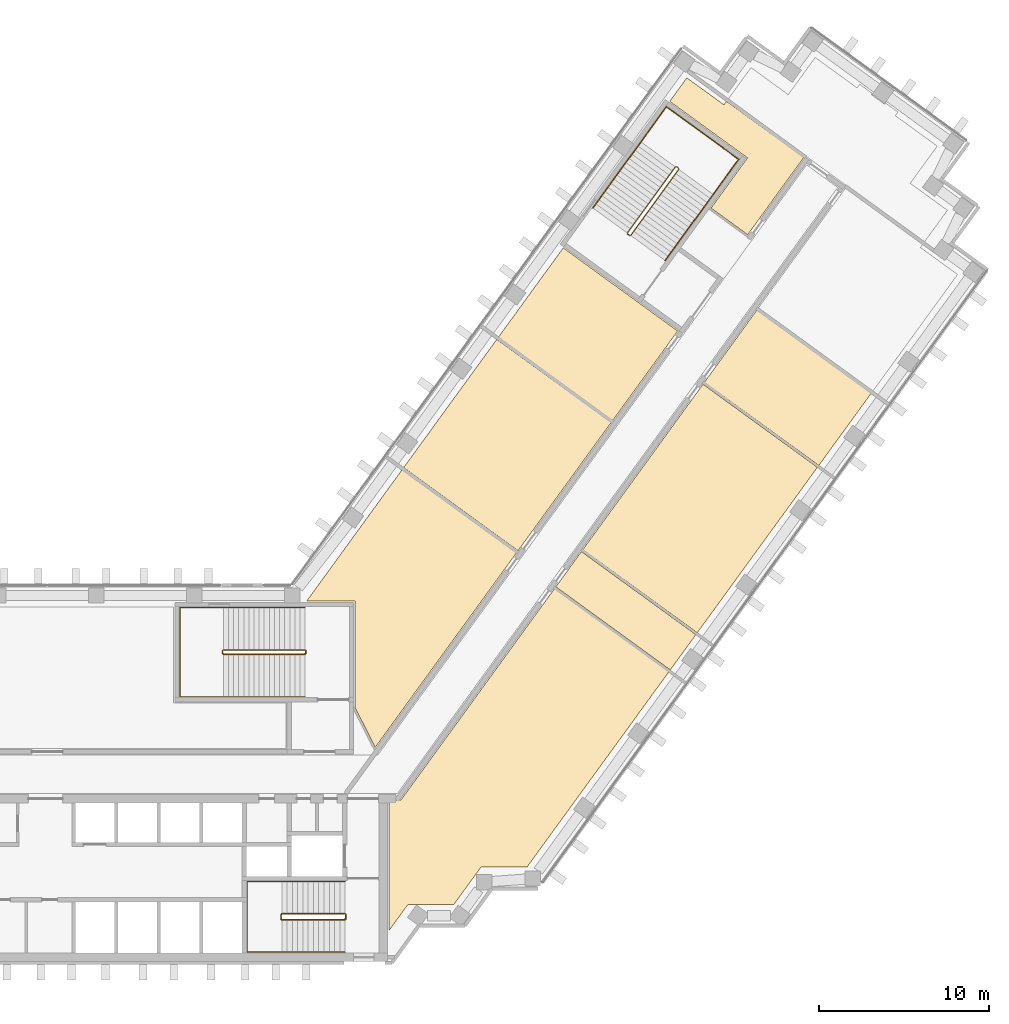
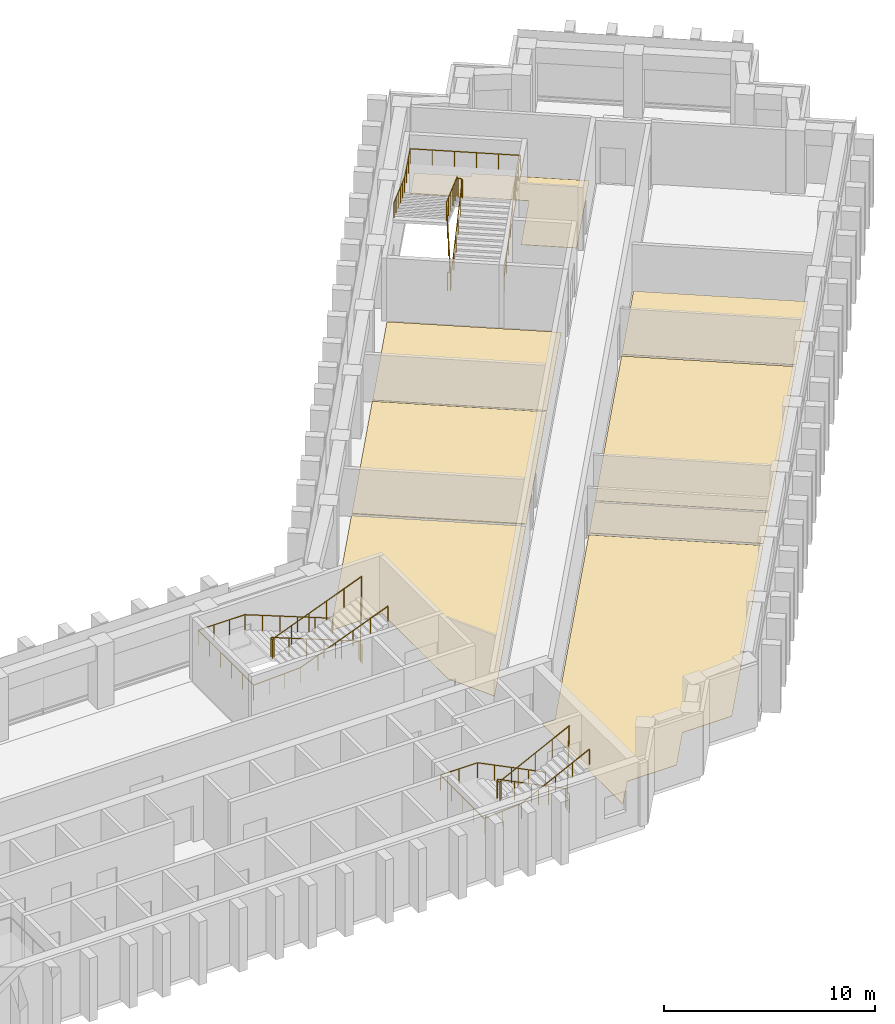
# One storey, part 16 of 17: 8 coverings, 6 railings.
"""IFC4 building model written with IfcOpenShell, lengths in metres."""

from ifc_helpers import new_model, si_unit, direction, frame, origin, origin_2d, place, context, subcontext, project, spatial, polyline, circle, outline, extrude, material, layer, layer_set, type_object, element, save


model = new_model("IFC4")

# Units and contexts
model_context = context("Model", 3, precision=1e-05, world=origin(), true_north=direction((0.0, 1.0)))
body_context = subcontext(model_context, "Body", "Model", "MODEL_VIEW")
ifc_project = project(units=[si_unit("LENGTHUNIT", "METRE"), si_unit("AREAUNIT", "SQUARE_METRE"), si_unit("VOLUMEUNIT", "CUBIC_METRE"), si_unit("PLANEANGLEUNIT", "RADIAN"), si_unit("MASSUNIT", "GRAM", prefix="KILO")], contexts=[model_context])

# Site, building, storey
site_placement = place(None, origin())
site = spatial("IfcSite", under=ifc_project, at=site_placement, CompositionType="ELEMENT")
building_placement = place(site_placement, origin())
building = spatial("IfcBuilding", under=site, at=building_placement, Name="Quipu Civic Tower", CompositionType="ELEMENT")
storey_placement = place(building_placement, frame((0.0, 0.0, 43.0)))
storey = spatial("IfcBuildingStorey", under=building, at=storey_placement, Name="L09", CompositionType="ELEMENT", Elevation=43.0)

# Coverings
ifc_material_1 = material(Name="Carpet tile on raised access floor")
ifc_layer_1 = layer(ifc_material_1, 0.02001953125)
ifc_layer_set_1 = layer_set([ifc_layer_1], Name="Carpet tile on raised access floor")
covering_type_1 = type_object("IfcCoveringType", Name="Carpet tile floor finish 20", PredefinedType="FLOORING", material=ifc_layer_set_1)
covering_1_placement = place(storey_placement, origin())
element("IfcCovering", 1, at=covering_1_placement, inside=storey, type_object=covering_type_1, Name="Carpet tile floor finish 20", PredefinedType="FLOORING", context=body_context, shape_type="SweptSolid", body=[
    extrude(outline(polyline([(15.238037109375, 10.169921875), (20.85498046875, 17.90087890625), (27.577880859375, 13.01708984375), (19.27197265625, 1.583984375), (18.070068359375, 3.94189453125), (18.070068359375, 10.1689453125), (15.238037109375, 10.169921875)])), origin(), (0.0, 0.0, 1.0), 0.02001953125),
])
covering_2_placement = place(storey_placement, origin())
element("IfcCovering", 2, at=covering_2_placement, inside=storey, type_object=covering_type_1, Name="Carpet tile floor finish 20", PredefinedType="FLOORING", context=body_context, shape_type="SweptSolid", body=[
    extrude(outline(polyline([(36.570068359375, 39.530029296875), (37.573974609375, 40.9130859375), (39.757080078125, 39.327880859375), (39.906005859375, 39.530029296875), (44.445068359375, 36.23193359375), (41.15087890625, 31.697021484375), (38.998046875, 33.260009765625), (41.139892578125, 36.208984375), (36.570068359375, 39.530029296875)])), origin(), (0.0, 0.0, 1.0), 0.02001953125),
])
covering_3_placement = place(storey_placement, origin())
element("IfcCovering", 3, at=covering_3_placement, inside=storey, type_object=covering_type_1, Name="Carpet tile floor finish 20", PredefinedType="FLOORING", context=body_context, shape_type="SweptSolid", body=[
    extrude(outline(polyline([(38.60791015625, 23.02490234375), (41.698974609375, 27.281005859375), (48.422119140625, 22.39697265625), (45.3310546875, 18.14111328125), (38.60791015625, 23.02490234375)])), origin(), (0.0, 0.0, 1.0), 0.02001953125),
])
covering_4_placement = place(storey_placement, origin())
element("IfcCovering", 4, at=covering_4_placement, inside=storey, type_object=covering_type_1, Name="Carpet tile floor finish 20", PredefinedType="FLOORING", context=body_context, shape_type="SweptSolid", body=[
    extrude(outline(polyline([(26.491943359375, 25.658935546875), (30.31494140625, 30.922119140625), (37.0380859375, 26.0380859375), (33.215087890625, 20.77490234375), (26.491943359375, 25.658935546875)])), origin(), (0.0, 0.0, 1.0), 0.02001953125),
])
covering_5_placement = place(storey_placement, origin())
element("IfcCovering", 5, at=covering_5_placement, inside=storey, type_object=covering_type_1, Name="Carpet tile floor finish 20", PredefinedType="FLOORING", context=body_context, shape_type="SweptSolid", body=[
    extrude(outline(polyline([(20.070068359375, -9.195068359375), (20.070068359375, -1.52001953125), (20.77490234375, -1.51904296875), (29.7958984375, 10.89794921875), (36.52001953125, 6.013916015625), (28.181884765625, -5.4609375), (25.48193359375, -5.4619140625), (25.2080078125, -5.840087890625), (25.205078125, -5.841064453125), (25.200927734375, -5.843017578125), (25.197021484375, -5.844970703125), (25.193115234375, -5.847900390625), (25.18896484375, -5.85205078125), (25.18603515625, -5.85498046875), (25.18310546875, -5.85888671875), (25.179931640625, -5.863037109375), (25.177978515625, -5.867919921875), (25.177001953125, -5.8720703125), (25.175048828125, -5.876953125), (25.175048828125, -5.882080078125), (25.174072265625, -5.885986328125), (23.89501953125, -7.64599609375), (21.721923828125, -7.64599609375), (21.721923828125, -7.64599609375), (21.718017578125, -7.64306640625), (21.712890625, -7.64111328125), (21.708984375, -7.638916015625), (21.7041015625, -7.637939453125), (21.698974609375, -7.636962890625), (21.694091796875, -7.635986328125), (21.68896484375, -7.636962890625), (21.68408203125, -7.636962890625), (21.679931640625, -7.637939453125), (21.675048828125, -7.639892578125), (21.669921875, -7.64111328125), (21.666015625, -7.64404296875), (21.6630859375, -7.64599609375), (21.196044921875, -7.64599609375), (20.070068359375, -9.195068359375)])), origin(), (0.0, 0.0, 1.0), 0.02001953125),
])
covering_6_placement = place(storey_placement, origin())
element("IfcCovering", 6, at=covering_6_placement, inside=storey, type_object=covering_type_1, Name="Carpet tile floor finish 20", PredefinedType="FLOORING", context=body_context, shape_type="SweptSolid", body=[
    extrude(outline(polyline([(31.466064453125, 13.195068359375), (38.52490234375, 22.912109375), (45.248046875, 18.028076171875), (38.18994140625, 8.31201171875), (31.466064453125, 13.195068359375)])), origin(), (0.0, 0.0, 1.0), 0.02001953125),
])
ifc_material_2 = material(Name="Ceramic floor tile")
ifc_layer_2 = layer(ifc_material_2, 0.030029296875)
ifc_layer_set_2 = layer_set([ifc_layer_2], Name="Ceramic floor tile")
covering_type_2 = type_object("IfcCoveringType", Name="Ceramic tile floor finish 30", PredefinedType="FLOORING", material=ifc_layer_set_2)
covering_7_placement = place(storey_placement, origin())
element("IfcCovering", 7, at=covering_7_placement, inside=storey, type_object=covering_type_2, Name="Ceramic tile floor finish 30", PredefinedType="FLOORING", context=body_context, shape_type="SweptSolid", body=[
    extrude(outline(polyline([(29.87890625, 11.010986328125), (31.383056640625, 13.08203125), (38.10693359375, 8.198974609375), (36.60302734375, 6.126953125), (29.87890625, 11.010986328125)])), origin(), (0.0, 0.0, 1.0), 0.030029296875),
])
ifc_material_3 = material(Name="Sealed cement screed")
ifc_layer_3 = layer(ifc_material_3, 0.050048828125)
ifc_layer_set_3 = layer_set([ifc_layer_3], Name="Sealed cement screed")
covering_type_3 = type_object("IfcCoveringType", Name="Sealed screed floor finish 50", PredefinedType="FLOORING", material=ifc_layer_set_3)
covering_8_placement = place(storey_placement, origin())
element("IfcCovering", 8, at=covering_8_placement, inside=storey, type_object=covering_type_3, Name="Sealed screed floor finish 50", PredefinedType="FLOORING", context=body_context, shape_type="SweptSolid", body=[
    extrude(outline(polyline([(20.93798828125, 18.013916015625), (26.408935546875, 25.5458984375), (33.132080078125, 20.662109375), (27.660888671875, 13.1298828125), (20.93798828125, 18.013916015625)])), origin(), (0.0, 0.0, 1.0), 0.050048828125),
])

# Railings
ifc_material_4 = material(Name="Stainless steel", Category="steel")
railing_type_1 = type_object("IfcRailingType", Name="Stair guard 1100", PredefinedType="GUARDRAIL", material=ifc_material_4)
railing_1_placement = place(storey_placement, frame((17.5, -8.199951171875, 0.15380859375)))
element("IfcRailing", 9, at=railing_1_placement, inside=storey, type_object=railing_type_1, Name="Stair 2 guard", PredefinedType="GUARDRAIL", context=body_context, shape_type="SweptSolid", body=[
    extrude(circle(Radius=0.02392578125, at=origin_2d()), frame((0.0, 0.0, 1.076171875), z_axis=(-0.895751851347, 0.0, 0.444554407028), x_axis=(0.0, -1.0, 0.0)), (0.0, 0.0, 1.0), 4.15283203125),
    extrude(circle(Radius=0.02392578125, at=origin_2d()), frame((-3.719970703125, 0.0, 2.92236328125), z_axis=(-0.707106781187, -0.707106781187, 0.0), x_axis=(0.707106781187, -0.707106781187, 0.0)), (0.0, 0.0, 1.0), 0.07080078125),
    extrude(circle(Radius=0.02392578125, at=origin_2d()), frame((-3.77001953125, -0.050048828125, 2.92236328125), z_axis=(0.0, -1.0, 0.0), x_axis=(1.0, 0.0, 0.0)), (0.0, 0.0, 1.0), 0.25),
    extrude(circle(Radius=0.02392578125, at=origin_2d()), frame((-3.77001953125, -0.300048828125, 2.92236328125), z_axis=(0.295599637079, -0.295599637079, 0.908428152975), x_axis=(0.707106781187, 0.707106781187, 0.0)), (0.0, 0.0, 1.0), 0.16943359375),
    extrude(circle(Radius=0.02392578125, at=origin_2d()), frame((-3.719970703125, -0.35009765625, 3.076171875), z_axis=(0.895751851347, 0.0, 0.444554407028), x_axis=(0.0, 1.0, 0.0)), (0.0, 0.0, 1.0), 4.15283203125),
    extrude(circle(Radius=0.02392578125, at=origin_2d()), frame((0.0, -0.35009765625, 4.92236328125), z_axis=(0.012476181752, 0.074796231092, -0.997120789425), x_axis=(-0.986372223864, 0.164529134168, 0.0)), (0.0, 0.0, 1.0), 4.011474609375),
    extrude(circle(Radius=0.02392578125, at=origin_2d()), frame((0.050048828125, -0.050048828125, 0.92236328125), z_axis=(0.0, -1.0, 0.0), x_axis=(1.0, 0.0, 0.0)), (0.0, 0.0, 1.0), 0.25),
    extrude(circle(Radius=0.02099609375, at=origin_2d()), origin(), (0.0, 0.0, 1.0), 1.052001953125),
    extrude(circle(Radius=0.02099609375, at=origin_2d()), frame((-0.929931640625, 0.0, 0.46142578125)), (0.0, 0.0, 1.0), 1.052001953125),
    extrude(circle(Radius=0.02099609375, at=origin_2d()), frame((-1.85986328125, 0.0, 0.923095703125)), (0.0, 0.0, 1.0), 1.052001953125),
    extrude(circle(Radius=0.02099609375, at=origin_2d()), frame((-2.7900390625, 0.0, 1.384765625)), (0.0, 0.0, 1.0), 1.052001953125),
    extrude(circle(Radius=0.02099609375, at=origin_2d()), frame((-3.719970703125, 0.0, 1.84619140625)), (0.0, 0.0, 1.0), 1.052001953125),
    extrude(circle(Radius=0.02099609375, at=origin_2d()), frame((-3.77001953125, -0.050048828125, 1.84619140625)), (0.0, 0.0, 1.0), 1.052001953125),
    extrude(circle(Radius=0.02099609375, at=origin_2d()), frame((-3.77001953125, -0.300048828125, 1.84619140625)), (0.0, 0.0, 1.0), 1.052001953125),
    extrude(circle(Radius=0.02099609375, at=origin_2d()), frame((-3.719970703125, -0.35009765625, 2.0)), (0.0, 0.0, 1.0), 1.052001953125),
    extrude(circle(Radius=0.02099609375, at=origin_2d()), frame((-2.7900390625, -0.35009765625, 2.46142578125)), (0.0, 0.0, 1.0), 1.052001953125),
    extrude(circle(Radius=0.02099609375, at=origin_2d()), frame((-1.85986328125, -0.35009765625, 2.923095703125)), (0.0, 0.0, 1.0), 1.052001953125),
    extrude(circle(Radius=0.02099609375, at=origin_2d()), frame((-0.929931640625, -0.35009765625, 3.384765625)), (0.0, 0.0, 1.0), 1.052001953125),
    extrude(circle(Radius=0.02099609375, at=origin_2d()), frame((0.0, -0.35009765625, 3.84619140625)), (0.0, 0.0, 1.0), 1.052001953125),
    extrude(circle(Radius=0.02099609375, at=origin_2d()), frame((0.012451171875, -0.275146484375, 2.84619140625)), (0.0, 0.0, 1.0), 1.052001953125),
    extrude(circle(Radius=0.02099609375, at=origin_2d()), frame((0.02490234375, -0.2001953125, 1.84619140625)), (0.0, 0.0, 1.0), 1.052001953125),
    extrude(circle(Radius=0.02099609375, at=origin_2d()), frame((0.03759765625, -0.125, 0.84619140625)), (0.0, 0.0, 1.0), 1.052001953125),
    extrude(circle(Radius=0.02099609375, at=origin_2d()), frame((0.050048828125, -0.050048828125, -0.15380859375)), (0.0, 0.0, 1.0), 1.052001953125),
    extrude(circle(Radius=0.02099609375, at=origin_2d()), frame((0.050048828125, -0.300048828125, -0.15380859375)), (0.0, 0.0, 1.0), 1.052001953125),
])
railing_2_placement = place(storey_placement, frame((15.14990234375, 7.300048828125, 0.11767578125)))
element("IfcRailing", 10, at=railing_2_placement, inside=storey, type_object=railing_type_1, Name="Stair 4 guard", PredefinedType="GUARDRAIL", context=body_context, shape_type="SweptSolid", body=[
    extrude(circle(Radius=0.02392578125, at=origin_2d()), frame((0.0, 0.0, 1.076171875), z_axis=(-0.930970042603, 0.0, 0.365095576219), x_axis=(0.0, -1.0, 0.0)), (0.0, 0.0, 1.0), 5.15576171875),
    extrude(circle(Radius=0.02392578125, at=origin_2d()), frame((-4.7998046875, 0.0, 2.95849609375), z_axis=(-0.707106781187, -0.707106781187, 0.0), x_axis=(0.707106781187, -0.707106781187, 0.0)), (0.0, 0.0, 1.0), 0.07080078125),
    extrude(circle(Radius=0.02392578125, at=origin_2d()), frame((-4.849853515625, -0.050048828125, 2.95849609375), z_axis=(0.0, -1.0, 0.0), x_axis=(1.0, 0.0, 0.0)), (0.0, 0.0, 1.0), 0.14990234375),
    extrude(circle(Radius=0.02392578125, at=origin_2d()), frame((-4.849853515625, -0.199951171875, 2.95849609375), z_axis=(0.364463019033, -0.364463019033, 0.856932561824), x_axis=(0.707106781187, 0.707106781187, 0.0)), (0.0, 0.0, 1.0), 0.13720703125),
    extrude(circle(Radius=0.02392578125, at=origin_2d()), frame((-4.7998046875, -0.25, 3.076171875), z_axis=(0.930970042603, 0.0, 0.365095576219), x_axis=(0.0, 1.0, 0.0)), (0.0, 0.0, 1.0), 5.15576171875),
    extrude(circle(Radius=0.02392578125, at=origin_2d()), frame((0.0, -0.25, 4.95849609375), z_axis=(0.012495627992, 0.049921557685, -0.998674970829), x_axis=(-0.970072785993, 0.242814311512, 0.0)), (0.0, 0.0, 1.0), 4.00537109375),
    extrude(circle(Radius=0.02392578125, at=origin_2d()), frame((0.050048828125, -0.050048828125, 0.95849609375), z_axis=(0.0, -1.0, 0.0), x_axis=(1.0, 0.0, 0.0)), (0.0, 0.0, 1.0), 0.14990234375),
    extrude(circle(Radius=0.02099609375, at=origin_2d()), origin(), (0.0, 0.0, 1.0), 1.052001953125),
    extrude(circle(Radius=0.02099609375, at=origin_2d()), frame((-0.9599609375, 0.0, 0.37646484375)), (0.0, 0.0, 1.0), 1.052001953125),
    extrude(circle(Radius=0.02099609375, at=origin_2d()), frame((-1.919921875, 0.0, 0.7529296875)), (0.0, 0.0, 1.0), 1.052001953125),
    extrude(circle(Radius=0.02099609375, at=origin_2d()), frame((-2.8798828125, 0.0, 1.12939453125)), (0.0, 0.0, 1.0), 1.052001953125),
    extrude(circle(Radius=0.02099609375, at=origin_2d()), frame((-3.83984375, 0.0, 1.505859375)), (0.0, 0.0, 1.0), 1.052001953125),
    extrude(circle(Radius=0.02099609375, at=origin_2d()), frame((-4.7998046875, 0.0, 1.88232421875)), (0.0, 0.0, 1.0), 1.052001953125),
    extrude(circle(Radius=0.02099609375, at=origin_2d()), frame((-4.849853515625, -0.050048828125, 1.88232421875)), (0.0, 0.0, 1.0), 1.052001953125),
    extrude(circle(Radius=0.02099609375, at=origin_2d()), frame((-4.849853515625, -0.199951171875, 1.88232421875)), (0.0, 0.0, 1.0), 1.052001953125),
    extrude(circle(Radius=0.02099609375, at=origin_2d()), frame((-4.7998046875, -0.25, 2.0)), (0.0, 0.0, 1.0), 1.052001953125),
    extrude(circle(Radius=0.02099609375, at=origin_2d()), frame((-3.83984375, -0.25, 2.37646484375)), (0.0, 0.0, 1.0), 1.052001953125),
    extrude(circle(Radius=0.02099609375, at=origin_2d()), frame((-2.8798828125, -0.25, 2.7529296875)), (0.0, 0.0, 1.0), 1.052001953125),
    extrude(circle(Radius=0.02099609375, at=origin_2d()), frame((-1.919921875, -0.25, 3.12939453125)), (0.0, 0.0, 1.0), 1.052001953125),
    extrude(circle(Radius=0.02099609375, at=origin_2d()), frame((-0.9599609375, -0.25, 3.505859375)), (0.0, 0.0, 1.0), 1.052001953125),
    extrude(circle(Radius=0.02099609375, at=origin_2d()), frame((0.0, -0.25, 3.88232421875)), (0.0, 0.0, 1.0), 1.052001953125),
    extrude(circle(Radius=0.02099609375, at=origin_2d()), frame((0.012451171875, -0.199951171875, 2.88232421875)), (0.0, 0.0, 1.0), 1.052001953125),
    extrude(circle(Radius=0.02099609375, at=origin_2d()), frame((0.02490234375, -0.14990234375, 1.88232421875)), (0.0, 0.0, 1.0), 1.052001953125),
    extrude(circle(Radius=0.02099609375, at=origin_2d()), frame((0.03759765625, -0.10009765625, 0.88232421875)), (0.0, 0.0, 1.0), 1.052001953125),
    extrude(circle(Radius=0.02099609375, at=origin_2d()), frame((0.050048828125, -0.050048828125, -0.11767578125)), (0.0, 0.0, 1.0), 1.052001953125),
    extrude(circle(Radius=0.02099609375, at=origin_2d()), frame((0.050048828125, -0.199951171875, -0.11767578125)), (0.0, 0.0, 1.0), 1.052001953125),
])
railing_3_placement = place(storey_placement, frame((34.28125, 31.650390625, 0.11767578125)))
element("IfcRailing", 11, at=railing_3_placement, inside=storey, type_object=railing_type_1, Name="Stair 7 guard", PredefinedType="GUARDRAIL", context=body_context, shape_type="SweptSolid", body=[
    extrude(circle(Radius=0.02392578125, at=origin_2d()), frame((0.0, 0.0, 1.076171875), z_axis=(0.54720100349, 0.753182689643, 0.365084781664), x_axis=(-0.809026317077, 0.587772420479, 0.0)), (0.0, 0.0, 1.0), 5.15576171875),
    extrude(circle(Radius=0.02392578125, at=origin_2d()), frame((2.8212890625, 3.88330078125, 2.95849609375), z_axis=(-0.155430446612, 0.987846838465, 0.0), x_axis=(-0.987846838465, -0.155430446612, 0.0)), (0.0, 0.0, 1.0), 0.07080078125),
    extrude(circle(Radius=0.02392578125, at=origin_2d()), frame((2.810302734375, 3.953125, 2.95849609375), z_axis=(-0.809649071907, 0.586914287065, 0.0), x_axis=(-0.586914287065, -0.809649071907, 0.0)), (0.0, 0.0, 1.0), 0.150146484375),
    extrude(circle(Radius=0.02392578125, at=origin_2d()), frame((2.688720703125, 4.041259765625, 2.95849609375), z_axis=(-0.508654480474, -0.080033047627, 0.857242865693), x_axis=(0.155430446612, -0.987846838465, 0.0)), (0.0, 0.0, 1.0), 0.13720703125),
    extrude(circle(Radius=0.02392578125, at=origin_2d()), frame((2.618896484375, 4.0302734375, 3.076171875), z_axis=(-0.54720100349, -0.753182689643, 0.365084781664), x_axis=(0.809026317077, -0.587772420479, 0.0)), (0.0, 0.0, 1.0), 5.15576171875),
    extrude(circle(Radius=0.02392578125, at=origin_2d()), frame((-0.202392578125, 0.14697265625, 4.95849609375), z_axis=(0.033037246672, -0.039437451286, -0.998675737048), x_axis=(0.766567769536, 0.642163417448, 0.0)), (0.0, 0.0, 1.0), 4.00537109375),
    extrude(circle(Radius=0.02392578125, at=origin_2d()), frame((-0.070068359375, -0.010986328125, 0.95849609375), z_axis=(-0.809087927272, 0.587687609145, 0.0), x_axis=(-0.587687609145, -0.809087927272, 0.0)), (0.0, 0.0, 1.0), 0.14990234375),
    extrude(circle(Radius=0.02099609375, at=origin_2d()), origin(), (0.0, 0.0, 1.0), 1.052001953125),
    extrude(circle(Radius=0.02099609375, at=origin_2d()), frame((0.564208984375, 0.776611328125, 0.37646484375)), (0.0, 0.0, 1.0), 1.052001953125),
    extrude(circle(Radius=0.02099609375, at=origin_2d()), frame((1.12841796875, 1.55322265625, 0.7529296875)), (0.0, 0.0, 1.0), 1.052001953125),
    extrude(circle(Radius=0.02099609375, at=origin_2d()), frame((1.69287109375, 2.330078125, 1.12939453125)), (0.0, 0.0, 1.0), 1.052001953125),
    extrude(circle(Radius=0.02099609375, at=origin_2d()), frame((2.257080078125, 3.106689453125, 1.505859375)), (0.0, 0.0, 1.0), 1.052001953125),
    extrude(circle(Radius=0.02099609375, at=origin_2d()), frame((2.8212890625, 3.88330078125, 1.88232421875)), (0.0, 0.0, 1.0), 1.052001953125),
    extrude(circle(Radius=0.02099609375, at=origin_2d()), frame((2.810302734375, 3.953125, 1.88232421875)), (0.0, 0.0, 1.0), 1.052001953125),
    extrude(circle(Radius=0.02099609375, at=origin_2d()), frame((2.688720703125, 4.041259765625, 1.88232421875)), (0.0, 0.0, 1.0), 1.052001953125),
    extrude(circle(Radius=0.02099609375, at=origin_2d()), frame((2.618896484375, 4.0302734375, 2.0)), (0.0, 0.0, 1.0), 1.052001953125),
    extrude(circle(Radius=0.02099609375, at=origin_2d()), frame((2.0546875, 3.253662109375, 2.37646484375)), (0.0, 0.0, 1.0), 1.052001953125),
    extrude(circle(Radius=0.02099609375, at=origin_2d()), frame((1.490478515625, 2.47705078125, 2.7529296875)), (0.0, 0.0, 1.0), 1.052001953125),
    extrude(circle(Radius=0.02099609375, at=origin_2d()), frame((0.926025390625, 1.7001953125, 3.12939453125)), (0.0, 0.0, 1.0), 1.052001953125),
    extrude(circle(Radius=0.02099609375, at=origin_2d()), frame((0.36181640625, 0.923583984375, 3.505859375)), (0.0, 0.0, 1.0), 1.052001953125),
    extrude(circle(Radius=0.02099609375, at=origin_2d()), frame((-0.202392578125, 0.14697265625, 3.88232421875)), (0.0, 0.0, 1.0), 1.052001953125),
    extrude(circle(Radius=0.02099609375, at=origin_2d()), frame((-0.16943359375, 0.107421875, 2.88232421875)), (0.0, 0.0, 1.0), 1.052001953125),
    extrude(circle(Radius=0.02099609375, at=origin_2d()), frame((-0.13623046875, 0.06787109375, 1.88232421875)), (0.0, 0.0, 1.0), 1.052001953125),
    extrude(circle(Radius=0.02099609375, at=origin_2d()), frame((-0.10302734375, 0.028564453125, 0.88232421875)), (0.0, 0.0, 1.0), 1.052001953125),
    extrude(circle(Radius=0.02099609375, at=origin_2d()), frame((-0.070068359375, -0.010986328125, -0.11767578125)), (0.0, 0.0, 1.0), 1.052001953125),
    extrude(circle(Radius=0.02099609375, at=origin_2d()), frame((-0.19140625, 0.0771484375, -0.11767578125)), (0.0, 0.0, 1.0), 1.052001953125),
])
ifc_material_5 = material(Name="Stainless steel", Category="steel")
railing_type_2 = type_object("IfcRailingType", Name="Stair handrail", PredefinedType="HANDRAIL", material=ifc_material_5)
railing_4_placement = place(storey_placement, frame((17.5, -6.300048828125, 0.15380859375)))
element("IfcRailing", 12, at=railing_4_placement, inside=storey, type_object=railing_type_2, Name="Stair 2 handrail", PredefinedType="HANDRAIL", context=body_context, shape_type="SweptSolid", body=[
    extrude(circle(Radius=0.02392578125, at=origin_2d()), frame((0.0, 0.0, 0.8759765625), z_axis=(-0.895751851347, 0.0, 0.444554407028), x_axis=(0.0, -1.0, 0.0)), (0.0, 0.0, 1.0), 4.15283203125),
    extrude(circle(Radius=0.02392578125, at=origin_2d()), frame((-3.719970703125, 0.0, 2.72216796875), z_axis=(-1.0, 0.0, 0.0), x_axis=(0.0, -1.0, 0.0)), (0.0, 0.0, 1.0), 2.030029296875),
    extrude(circle(Radius=0.02392578125, at=origin_2d()), frame((-5.75, 0.0, 2.72216796875), z_axis=(0.0, -1.0, 0.0), x_axis=(1.0, 0.0, 0.0)), (0.0, 0.0, 1.0), 4.14990234375),
    extrude(circle(Radius=0.02392578125, at=origin_2d()), frame((-5.75, -4.14990234375, 2.72216796875), z_axis=(0.997142003663, 0.0, 0.075550145798), x_axis=(0.0, 1.0, 0.0)), (0.0, 0.0, 1.0), 2.035888671875),
    extrude(circle(Radius=0.02392578125, at=origin_2d()), frame((-3.719970703125, -4.14990234375, 2.8759765625), z_axis=(0.895751851347, 0.0, 0.444554407028), x_axis=(0.0, 1.0, 0.0)), (0.0, 0.0, 1.0), 4.15283203125),
    extrude(circle(Radius=0.02099609375, at=origin_2d()), origin(), (0.0, 0.0, 1.0), 0.851806640625),
    extrude(circle(Radius=0.02099609375, at=origin_2d()), frame((-0.929931640625, 0.0, 0.46142578125)), (0.0, 0.0, 1.0), 0.851806640625),
    extrude(circle(Radius=0.02099609375, at=origin_2d()), frame((-1.85986328125, 0.0, 0.923095703125)), (0.0, 0.0, 1.0), 0.851806640625),
    extrude(circle(Radius=0.02099609375, at=origin_2d()), frame((-2.7900390625, 0.0, 1.384765625)), (0.0, 0.0, 1.0), 0.851806640625),
    extrude(circle(Radius=0.02099609375, at=origin_2d()), frame((-3.719970703125, 0.0, 1.84619140625)), (0.0, 0.0, 1.0), 0.851806640625),
    extrude(circle(Radius=0.02099609375, at=origin_2d()), frame((-4.73486328125, 0.0, 1.84619140625)), (0.0, 0.0, 1.0), 0.851806640625),
    extrude(circle(Radius=0.02099609375, at=origin_2d()), frame((-5.75, 0.0, 1.84619140625)), (0.0, 0.0, 1.0), 0.851806640625),
    extrude(circle(Radius=0.02099609375, at=origin_2d()), frame((-5.75, -1.03759765625, 1.84619140625)), (0.0, 0.0, 1.0), 0.851806640625),
    extrude(circle(Radius=0.02099609375, at=origin_2d()), frame((-5.75, -2.074951171875, 1.84619140625)), (0.0, 0.0, 1.0), 0.851806640625),
    extrude(circle(Radius=0.02099609375, at=origin_2d()), frame((-5.75, -3.1123046875, 1.84619140625)), (0.0, 0.0, 1.0), 0.851806640625),
    extrude(circle(Radius=0.02099609375, at=origin_2d()), frame((-5.75, -4.14990234375, 1.84619140625)), (0.0, 0.0, 1.0), 0.851806640625),
    extrude(circle(Radius=0.02099609375, at=origin_2d()), frame((-4.73486328125, -4.14990234375, 1.923095703125)), (0.0, 0.0, 1.0), 0.851806640625),
    extrude(circle(Radius=0.02099609375, at=origin_2d()), frame((-3.719970703125, -4.14990234375, 2.0)), (0.0, 0.0, 1.0), 0.851806640625),
    extrude(circle(Radius=0.02099609375, at=origin_2d()), frame((-2.7900390625, -4.14990234375, 2.46142578125)), (0.0, 0.0, 1.0), 0.851806640625),
    extrude(circle(Radius=0.02099609375, at=origin_2d()), frame((-1.85986328125, -4.14990234375, 2.923095703125)), (0.0, 0.0, 1.0), 0.851806640625),
    extrude(circle(Radius=0.02099609375, at=origin_2d()), frame((-0.929931640625, -4.14990234375, 3.384765625)), (0.0, 0.0, 1.0), 0.851806640625),
    extrude(circle(Radius=0.02099609375, at=origin_2d()), frame((0.0, -4.14990234375, 3.84619140625)), (0.0, 0.0, 1.0), 0.851806640625),
])
railing_5_placement = place(storey_placement, frame((15.14990234375, 9.800048828125, 0.11767578125)))
element("IfcRailing", 13, at=railing_5_placement, inside=storey, type_object=railing_type_2, Name="Stair 4 handrail", PredefinedType="HANDRAIL", context=body_context, shape_type="SweptSolid", body=[
    extrude(circle(Radius=0.02392578125, at=origin_2d()), frame((0.0, 0.0, 0.8759765625), z_axis=(-0.930970042603, 0.0, 0.365095576219), x_axis=(0.0, -1.0, 0.0)), (0.0, 0.0, 1.0), 5.15576171875),
    extrude(circle(Radius=0.02392578125, at=origin_2d()), frame((-4.7998046875, 0.0, 2.75830078125), z_axis=(-1.0, 0.0, 0.0), x_axis=(0.0, -1.0, 0.0)), (0.0, 0.0, 1.0), 2.550048828125),
    extrude(circle(Radius=0.02392578125, at=origin_2d()), frame((-7.349853515625, 0.0, 2.75830078125), z_axis=(0.0, -1.0, 0.0), x_axis=(1.0, 0.0, 0.0)), (0.0, 0.0, 1.0), 5.25),
    extrude(circle(Radius=0.02392578125, at=origin_2d()), frame((-7.349853515625, -5.25, 2.75830078125), z_axis=(0.998936948642, 0.0, 0.04609742549), x_axis=(0.0, 1.0, 0.0)), (0.0, 0.0, 1.0), 2.552734375),
    extrude(circle(Radius=0.02392578125, at=origin_2d()), frame((-4.7998046875, -5.25, 2.8759765625), z_axis=(0.930970042603, 0.0, 0.365095576219), x_axis=(0.0, 1.0, 0.0)), (0.0, 0.0, 1.0), 5.15576171875),
    extrude(circle(Radius=0.02099609375, at=origin_2d()), origin(), (0.0, 0.0, 1.0), 0.851806640625),
    extrude(circle(Radius=0.02099609375, at=origin_2d()), frame((-0.9599609375, 0.0, 0.37646484375)), (0.0, 0.0, 1.0), 0.851806640625),
    extrude(circle(Radius=0.02099609375, at=origin_2d()), frame((-1.919921875, 0.0, 0.7529296875)), (0.0, 0.0, 1.0), 0.851806640625),
    extrude(circle(Radius=0.02099609375, at=origin_2d()), frame((-2.8798828125, 0.0, 1.12939453125)), (0.0, 0.0, 1.0), 0.851806640625),
    extrude(circle(Radius=0.02099609375, at=origin_2d()), frame((-3.83984375, 0.0, 1.505859375)), (0.0, 0.0, 1.0), 0.851806640625),
    extrude(circle(Radius=0.02099609375, at=origin_2d()), frame((-4.7998046875, 0.0, 1.88232421875)), (0.0, 0.0, 1.0), 0.851806640625),
    extrude(circle(Radius=0.02099609375, at=origin_2d()), frame((-5.64990234375, 0.0, 1.88232421875)), (0.0, 0.0, 1.0), 0.851806640625),
    extrude(circle(Radius=0.02099609375, at=origin_2d()), frame((-6.499755859375, 0.0, 1.88232421875)), (0.0, 0.0, 1.0), 0.851806640625),
    extrude(circle(Radius=0.02099609375, at=origin_2d()), frame((-7.349853515625, 0.0, 1.88232421875)), (0.0, 0.0, 1.0), 0.851806640625),
    extrude(circle(Radius=0.02099609375, at=origin_2d()), frame((-7.349853515625, -1.050048828125, 1.88232421875)), (0.0, 0.0, 1.0), 0.851806640625),
    extrude(circle(Radius=0.02099609375, at=origin_2d()), frame((-7.349853515625, -2.10009765625, 1.88232421875)), (0.0, 0.0, 1.0), 0.851806640625),
    extrude(circle(Radius=0.02099609375, at=origin_2d()), frame((-7.349853515625, -3.14990234375, 1.88232421875)), (0.0, 0.0, 1.0), 0.851806640625),
    extrude(circle(Radius=0.02099609375, at=origin_2d()), frame((-7.349853515625, -4.199951171875, 1.88232421875)), (0.0, 0.0, 1.0), 0.851806640625),
    extrude(circle(Radius=0.02099609375, at=origin_2d()), frame((-7.349853515625, -5.25, 1.88232421875)), (0.0, 0.0, 1.0), 0.851806640625),
    extrude(circle(Radius=0.02099609375, at=origin_2d()), frame((-6.499755859375, -5.25, 1.921630859375)), (0.0, 0.0, 1.0), 0.851806640625),
    extrude(circle(Radius=0.02099609375, at=origin_2d()), frame((-5.64990234375, -5.25, 1.960693359375)), (0.0, 0.0, 1.0), 0.851806640625),
    extrude(circle(Radius=0.02099609375, at=origin_2d()), frame((-4.7998046875, -5.25, 2.0)), (0.0, 0.0, 1.0), 0.851806640625),
    extrude(circle(Radius=0.02099609375, at=origin_2d()), frame((-3.83984375, -5.25, 2.37646484375)), (0.0, 0.0, 1.0), 0.851806640625),
    extrude(circle(Radius=0.02099609375, at=origin_2d()), frame((-2.8798828125, -5.25, 2.7529296875)), (0.0, 0.0, 1.0), 0.851806640625),
    extrude(circle(Radius=0.02099609375, at=origin_2d()), frame((-1.919921875, -5.25, 3.12939453125)), (0.0, 0.0, 1.0), 0.851806640625),
    extrude(circle(Radius=0.02099609375, at=origin_2d()), frame((-0.9599609375, -5.25, 3.505859375)), (0.0, 0.0, 1.0), 0.851806640625),
    extrude(circle(Radius=0.02099609375, at=origin_2d()), frame((0.0, -5.25, 3.88232421875)), (0.0, 0.0, 1.0), 0.851806640625),
])
railing_6_placement = place(storey_placement, frame((36.3037109375, 30.180908203125, 0.11767578125)))
element("IfcRailing", 14, at=railing_6_placement, inside=storey, type_object=railing_type_2, Name="Stair 7 handrail", PredefinedType="HANDRAIL", context=body_context, shape_type="SweptSolid", body=[
    extrude(circle(Radius=0.02392578125, at=origin_2d()), frame((0.0, 0.0, 0.8759765625), z_axis=(0.54720100349, 0.753182689643, 0.365084781664), x_axis=(-0.809026317077, 0.587772420479, 0.0)), (0.0, 0.0, 1.0), 5.15576171875),
    extrude(circle(Radius=0.02392578125, at=origin_2d()), frame((2.8212890625, 3.88330078125, 2.75830078125), z_axis=(0.587767432704, 0.809029940764, 0.0), x_axis=(-0.809029940764, 0.587767432704, 0.0)), (0.0, 0.0, 1.0), 2.550048828125),
    extrude(circle(Radius=0.02392578125, at=origin_2d()), frame((4.320068359375, 5.9462890625, 2.75830078125), z_axis=(-0.809009483706, 0.587795589702, 0.0), x_axis=(-0.587795589702, -0.809009483706, 0.0)), (0.0, 0.0, 1.0), 5.25),
    extrude(circle(Radius=0.02392578125, at=origin_2d()), frame((0.07275390625, 9.0322265625, 2.75830078125), z_axis=(-0.587142558822, -0.808169835812, 0.046099155132), x_axis=(0.809029940764, -0.587767432704, 0.0)), (0.0, 0.0, 1.0), 2.552734375),
    extrude(circle(Radius=0.02392578125, at=origin_2d()), frame((-1.426025390625, 6.96923828125, 2.8759765625), z_axis=(-0.54720100349, -0.753182689643, 0.365084781664), x_axis=(0.809026317077, -0.587772420479, 0.0)), (0.0, 0.0, 1.0), 5.15576171875),
    extrude(circle(Radius=0.02099609375, at=origin_2d()), origin(), (0.0, 0.0, 1.0), 0.851806640625),
    extrude(circle(Radius=0.02099609375, at=origin_2d()), frame((0.564208984375, 0.776611328125, 0.37646484375)), (0.0, 0.0, 1.0), 0.851806640625),
    extrude(circle(Radius=0.02099609375, at=origin_2d()), frame((1.12841796875, 1.55322265625, 0.7529296875)), (0.0, 0.0, 1.0), 0.851806640625),
    extrude(circle(Radius=0.02099609375, at=origin_2d()), frame((1.69287109375, 2.330078125, 1.12939453125)), (0.0, 0.0, 1.0), 0.851806640625),
    extrude(circle(Radius=0.02099609375, at=origin_2d()), frame((2.257080078125, 3.106689453125, 1.505859375)), (0.0, 0.0, 1.0), 0.851806640625),
    extrude(circle(Radius=0.02099609375, at=origin_2d()), frame((2.8212890625, 3.88330078125, 1.88232421875)), (0.0, 0.0, 1.0), 0.851806640625),
    extrude(circle(Radius=0.02099609375, at=origin_2d()), frame((3.32080078125, 4.571044921875, 1.88232421875)), (0.0, 0.0, 1.0), 0.851806640625),
    extrude(circle(Radius=0.02099609375, at=origin_2d()), frame((3.820556640625, 5.258544921875, 1.88232421875)), (0.0, 0.0, 1.0), 0.851806640625),
    extrude(circle(Radius=0.02099609375, at=origin_2d()), frame((4.320068359375, 5.9462890625, 1.88232421875)), (0.0, 0.0, 1.0), 0.851806640625),
    extrude(circle(Radius=0.02099609375, at=origin_2d()), frame((3.470703125, 6.5634765625, 1.88232421875)), (0.0, 0.0, 1.0), 0.851806640625),
    extrude(circle(Radius=0.02099609375, at=origin_2d()), frame((2.62109375, 7.1806640625, 1.88232421875)), (0.0, 0.0, 1.0), 0.851806640625),
    extrude(circle(Radius=0.02099609375, at=origin_2d()), frame((1.771728515625, 7.7978515625, 1.88232421875)), (0.0, 0.0, 1.0), 0.851806640625),
    extrude(circle(Radius=0.02099609375, at=origin_2d()), frame((0.922119140625, 8.4150390625, 1.88232421875)), (0.0, 0.0, 1.0), 0.851806640625),
    extrude(circle(Radius=0.02099609375, at=origin_2d()), frame((0.07275390625, 9.0322265625, 1.88232421875)), (0.0, 0.0, 1.0), 0.851806640625),
    extrude(circle(Radius=0.02099609375, at=origin_2d()), frame((-0.4267578125, 8.344482421875, 1.921630859375)), (0.0, 0.0, 1.0), 0.851806640625),
    extrude(circle(Radius=0.02099609375, at=origin_2d()), frame((-0.926513671875, 7.656982421875, 1.960693359375)), (0.0, 0.0, 1.0), 0.851806640625),
    extrude(circle(Radius=0.02099609375, at=origin_2d()), frame((-1.426025390625, 6.96923828125, 2.0)), (0.0, 0.0, 1.0), 0.851806640625),
    extrude(circle(Radius=0.02099609375, at=origin_2d()), frame((-1.990234375, 6.192626953125, 2.37646484375)), (0.0, 0.0, 1.0), 0.851806640625),
    extrude(circle(Radius=0.02099609375, at=origin_2d()), frame((-2.554443359375, 5.416015625, 2.7529296875)), (0.0, 0.0, 1.0), 0.851806640625),
    extrude(circle(Radius=0.02099609375, at=origin_2d()), frame((-3.118896484375, 4.63916015625, 3.12939453125)), (0.0, 0.0, 1.0), 0.851806640625),
    extrude(circle(Radius=0.02099609375, at=origin_2d()), frame((-3.68310546875, 3.862548828125, 3.505859375)), (0.0, 0.0, 1.0), 0.851806640625),
    extrude(circle(Radius=0.02099609375, at=origin_2d()), frame((-4.247314453125, 3.0859375, 3.88232421875)), (0.0, 0.0, 1.0), 0.851806640625),
])

save(model, "model.ifc")
